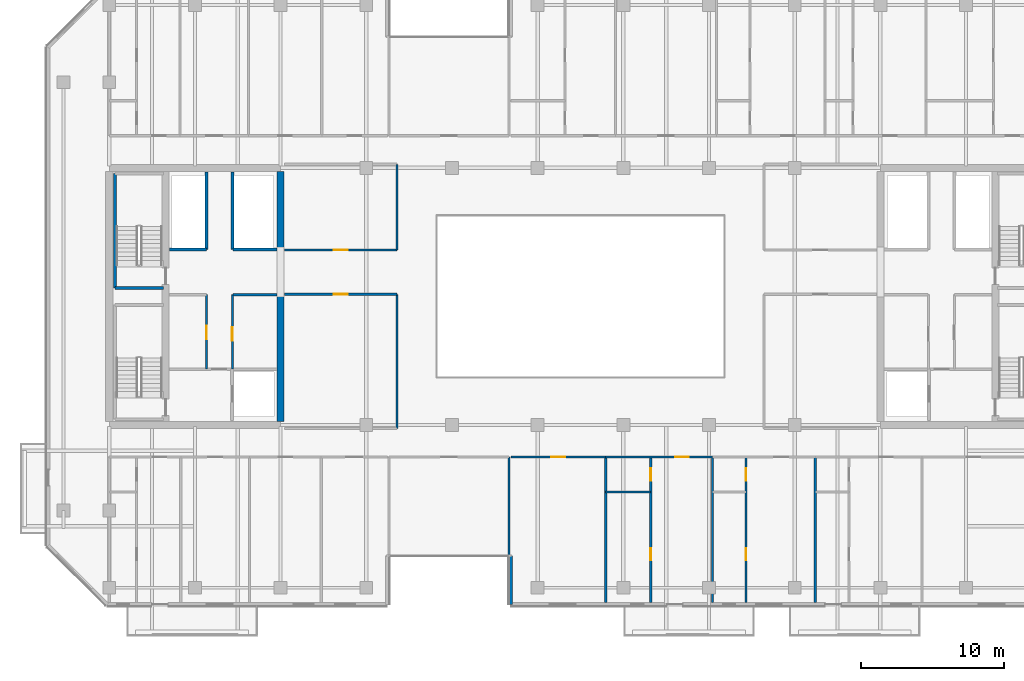
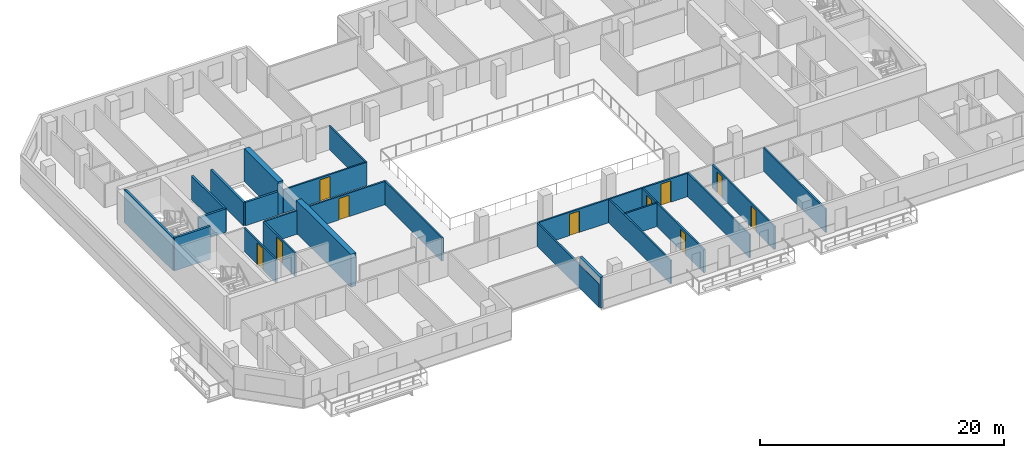
# One storey, part 10 of 19: 25 walls, 10 doors, 10 openings.
"""IFC4 building model written with IfcOpenShell, lengths in metres."""

from ifc_helpers import new_model, si_unit, direction, frame, frame_2d, origin, place, context, subcontext, project, spatial, rectangle, extrude, material, layer, layer_set, type_object, element, fill, save


model = new_model("IFC4")

# Units and contexts
model_context = context("Model", 3, precision=1e-05, world=origin(), true_north=direction((0.0, 1.0)))
body_context = subcontext(model_context, "Body", "Model", "MODEL_VIEW")
ifc_project = project(units=[si_unit("LENGTHUNIT", "METRE"), si_unit("AREAUNIT", "SQUARE_METRE"), si_unit("VOLUMEUNIT", "CUBIC_METRE"), si_unit("PLANEANGLEUNIT", "RADIAN"), si_unit("MASSUNIT", "GRAM", prefix="KILO")], contexts=[model_context])

# Site, building, storey
site_placement = place(None, origin())
site = spatial("IfcSite", under=ifc_project, at=site_placement, CompositionType="ELEMENT")
building_placement = place(site_placement, origin())
building = spatial("IfcBuilding", under=site, at=building_placement, Name="Tanjung Sevakor Pilgrim Tower", CompositionType="ELEMENT")
storey_placement = place(building_placement, frame((0.0, 0.0, 132.0)))
storey = spatial("IfcBuildingStorey", under=building, at=storey_placement, Name="L36", CompositionType="ELEMENT", Elevation=132.0)

# Walls
ifc_material_1 = material(Name="Concrete C60/75", Category="concrete")
ifc_layer_1 = layer(ifc_material_1, 0.5)
ifc_layer_set_1 = layer_set([ifc_layer_1], Name="WALL-CW-500")
wall_type_1 = type_object("IfcWallType", Name="WALL-CW-500", PredefinedType="SHEAR", material=ifc_layer_set_1)
wall_1_placement = place(storey_placement, frame((36.0, 24.85009765625, 0.0), z_axis=(0.0, 0.0, 1.0), x_axis=(0.0, 1.0, 0.0)))
element("IfcWall", 1, at=wall_1_placement, inside=storey, type_object=wall_type_1, Name="L36 W Core Inner Shear Wall South", PredefinedType="SHEAR", context=body_context, shape_type="SweptSolid", body=[
    extrude(rectangle(XDim=8.949951171875, YDim=0.5, at=frame_2d((4.47509765625, 0.0))), origin(), (0.0, 0.0, 1.0), 3.300048828125),
])
wall_2_placement = place(storey_placement, frame((36.0, 36.800048828125, 0.0), z_axis=(0.0, 0.0, 1.0), x_axis=(0.0, 1.0, 0.0)))
element("IfcWall", 2, at=wall_2_placement, inside=storey, type_object=wall_type_1, Name="L36 W Core Inner Shear Wall North", PredefinedType="SHEAR", context=body_context, shape_type="SweptSolid", body=[
    extrude(rectangle(XDim=5.550048828125, YDim=0.5, at=frame_2d((2.77490234375, 0.0))), origin(), (0.0, 0.0, 1.0), 3.300048828125),
])

# Wall, opening, door
ifc_material_2 = material(Name="Concrete C40/50", Category="concrete")
ifc_layer_2 = layer(ifc_material_2, 0.14990234375)
ifc_layer_set_2 = layer_set([ifc_layer_2], Name="WT-COMP-150")
wall_type_2 = type_object("IfcWallType", Name="WT-COMP-150", PredefinedType="SOLIDWALL", material=ifc_layer_set_2)
wall_3_placement = place(storey_placement, frame((30.820068359375, 28.5, 0.0), z_axis=(0.0, 0.0, 1.0), x_axis=(0.0, 1.0, 0.0)))
wall_3 = element("IfcWall", 3, at=wall_3_placement, inside=storey, type_object=wall_type_2, Name="L36 Partition IW-L36-004", PredefinedType="SOLIDWALL", context=body_context, shape_type="SweptSolid", body=[
    extrude(rectangle(XDim=5.219970703125, YDim=0.14990234375, at=frame_2d((2.60986328125, 0.0))), origin(), (0.0, 0.0, 1.0), 2.35009765625),
])
opening_1_placement = place(wall_3_placement, frame((2.10009765625, 0.0, 0.0)))
opening_1 = element("IfcOpeningElement", 4, at=opening_1_placement, cuts=wall_3, Name="Opening ID-FD2", PredefinedType="OPENING", context=body_context, shape_type="SweptSolid", body=[
    extrude(rectangle(XDim=0.949951171875, YDim=2.14990234375, at=frame_2d((0.47509765625, 1.074951171875))), frame((0.0, 0.0849609375, 0.0), z_axis=(0.0, -1.0, 0.0), x_axis=(1.0, 0.0, 0.0)), (0.0, 0.0, 1.0), 0.169921875),
])
ifc_material_3 = material(Name="Fire-Rated Timber", Category="wood")
door_type_1 = type_object("IfcDoorType", Name="DT-FIRE-950", OperationType="NOTDEFINED", PredefinedType="DOOR", material=ifc_material_3)
door_1_placement = place(opening_1_placement, origin())
door_1 = element("IfcDoor", 5, at=door_1_placement, inside=storey, type_object=door_type_1, Name="L36 Housekeeping Pantry Door", OperationType="SINGLE_SWING_LEFT", OverallHeight=2.14990234375, OverallWidth=0.949951171875, PredefinedType="DOOR", context=body_context, shape_type="SweptSolid", body=[
    extrude(rectangle(XDim=0.949951171875, YDim=2.14990234375, at=frame_2d((0.47509765625, 1.074951171875))), frame((0.0, 0.02490234375, 0.0), z_axis=(0.0, -1.0, 0.0), x_axis=(1.0, 0.0, 0.0)), (0.0, 0.0, 1.0), 0.050048828125),
])
fill(opening_1, door_1)

# Wall
wall_4_placement = place(storey_placement, frame((32.679931640625, 33.719970703125, 0.0), z_axis=(0.0, 0.0, 1.0), x_axis=(1.0, 0.0, 0.0)))
element("IfcWall", 6, at=wall_4_placement, inside=storey, type_object=wall_type_2, Name="L36 Partition IW-L36-005", PredefinedType="SOLIDWALL", context=body_context, shape_type="SweptSolid", body=[
    extrude(rectangle(XDim=3.050048828125, YDim=0.14990234375, at=frame_2d((1.52490234375, 0.0))), origin(), (0.0, 0.0, 1.0), 2.35009765625),
])

# Wall, opening, door
wall_5_placement = place(storey_placement, frame((32.6201171875, 28.5, 0.0), z_axis=(0.0, 0.0, 1.0), x_axis=(0.0, 1.0, 0.0)))
wall_5 = element("IfcWall", 7, at=wall_5_placement, inside=storey, type_object=wall_type_2, Name="L36 Partition IW-L36-006", PredefinedType="SOLIDWALL", context=body_context, shape_type="SweptSolid", body=[
    extrude(rectangle(XDim=5.219970703125, YDim=0.14990234375, at=frame_2d((2.60986328125, 0.0))), origin(), (0.0, 0.0, 1.0), 2.35009765625),
])
opening_2_placement = place(wall_5_placement, frame((2.0, 0.0, 0.0)))
opening_2 = element("IfcOpeningElement", 8, at=opening_2_placement, cuts=wall_5, Name="Opening ID-FD2", PredefinedType="OPENING", context=body_context, shape_type="SweptSolid", body=[
    extrude(rectangle(XDim=0.949951171875, YDim=2.14990234375, at=frame_2d((0.47509765625, 1.074951171875))), frame((0.0, 0.0849609375, 0.0), z_axis=(0.0, -1.0, 0.0), x_axis=(1.0, 0.0, 0.0)), (0.0, 0.0, 1.0), 0.169921875),
])
door_2_placement = place(opening_2_placement, origin())
door_2 = element("IfcDoor", 9, at=door_2_placement, inside=storey, type_object=door_type_1, Name="L36 Accessible WC Door", OperationType="SINGLE_SWING_RIGHT", OverallHeight=2.14990234375, OverallWidth=0.949951171875, PredefinedType="DOOR", context=body_context, shape_type="SweptSolid", body=[
    extrude(rectangle(XDim=0.949951171875, YDim=2.14990234375, at=frame_2d((0.47509765625, 1.074951171875))), frame((0.0, 0.02490234375, 0.0), z_axis=(0.0, -1.0, 0.0), x_axis=(1.0, 0.0, 0.0)), (0.0, 0.0, 1.0), 0.050048828125),
])
fill(opening_2, door_2)

wall_6_placement = place(storey_placement, frame((36.27001953125, 33.75, 0.0), z_axis=(0.0, 0.0, 1.0), x_axis=(1.0, 0.0, 0.0)))
wall_6 = element("IfcWall", 10, at=wall_6_placement, inside=storey, type_object=wall_type_2, Name="L36 Partition IW-L36-022", PredefinedType="SOLIDWALL", context=body_context, shape_type="SweptSolid", body=[
    extrude(rectangle(XDim=7.8798828125, YDim=0.14990234375, at=frame_2d((3.93994140625, 0.0))), origin(), (0.0, 0.0, 1.0), 2.35009765625),
])
opening_3_placement = place(wall_6_placement, frame((3.465087890625, 0.0, 0.0)))
opening_3 = element("IfcOpeningElement", 11, at=opening_3_placement, cuts=wall_6, Name="Opening ID-RM1", PredefinedType="OPENING", context=body_context, shape_type="SweptSolid", body=[
    extrude(rectangle(XDim=0.949951171875, YDim=2.14990234375, at=frame_2d((0.47509765625, 1.074951171875))), frame((0.0, 0.0849609375, 0.0), z_axis=(0.0, -1.0, 0.0), x_axis=(1.0, 0.0, 0.0)), (0.0, 0.0, 1.0), 0.169921875),
])
ifc_material_4 = material(Name="Hardwood Timber", Category="wood")
door_type_2 = type_object("IfcDoorType", Name="DT-INT-950", OperationType="NOTDEFINED", PredefinedType="DOOR", material=ifc_material_4)
door_3_placement = place(opening_3_placement, origin())
door_3 = element("IfcDoor", 12, at=door_3_placement, inside=storey, type_object=door_type_2, Name="L36 West Inboard South Door", OperationType="SINGLE_SWING_LEFT", OverallHeight=2.14990234375, OverallWidth=0.949951171875, PredefinedType="DOOR", context=body_context, shape_type="SweptSolid", body=[
    extrude(rectangle(XDim=0.949951171875, YDim=2.14990234375, at=frame_2d((0.47509765625, 1.074951171875))), frame((0.0, 0.02490234375, 0.0), z_axis=(0.0, -1.0, 0.0), x_axis=(1.0, 0.0, 0.0)), (0.0, 0.0, 1.0), 0.050048828125),
])
fill(opening_3, door_3)

# Wall
wall_7_placement = place(storey_placement, frame((44.14990234375, 24.35009765625, 0.0), z_axis=(0.0, 0.0, 1.0), x_axis=(0.0, 1.0, 0.0)))
element("IfcWall", 13, at=wall_7_placement, inside=storey, type_object=wall_type_2, Name="L36 Partition IW-L36-023", PredefinedType="SOLIDWALL", context=body_context, shape_type="SweptSolid", body=[
    extrude(rectangle(XDim=9.39990234375, YDim=0.14990234375, at=frame_2d((4.699951171875, 0.0))), origin(), (0.0, 0.0, 1.0), 2.35009765625),
])

# Wall, opening, door
wall_8_placement = place(storey_placement, frame((36.27001953125, 36.85009765625, 0.0), z_axis=(0.0, 0.0, 1.0), x_axis=(1.0, 0.0, 0.0)))
wall_8 = element("IfcWall", 14, at=wall_8_placement, inside=storey, type_object=wall_type_2, Name="L36 Partition IW-L36-024", PredefinedType="SOLIDWALL", context=body_context, shape_type="SweptSolid", body=[
    extrude(rectangle(XDim=7.8798828125, YDim=0.14990234375, at=frame_2d((3.93994140625, 0.0))), origin(), (0.0, 0.0, 1.0), 2.35009765625),
])
opening_4_placement = place(wall_8_placement, frame((3.465087890625, 0.0, 0.0)))
opening_4 = element("IfcOpeningElement", 15, at=opening_4_placement, cuts=wall_8, Name="Opening ID-RM1", PredefinedType="OPENING", context=body_context, shape_type="SweptSolid", body=[
    extrude(rectangle(XDim=0.949951171875, YDim=2.14990234375, at=frame_2d((0.47509765625, 1.074951171875))), frame((0.0, 0.0849609375, 0.0), z_axis=(0.0, -1.0, 0.0), x_axis=(1.0, 0.0, 0.0)), (0.0, 0.0, 1.0), 0.169921875),
])
door_4_placement = place(opening_4_placement, origin())
door_4 = element("IfcDoor", 16, at=door_4_placement, inside=storey, type_object=door_type_2, Name="L36 West Inboard North Door", OperationType="SINGLE_SWING_RIGHT", OverallHeight=2.14990234375, OverallWidth=0.949951171875, PredefinedType="DOOR", context=body_context, shape_type="SweptSolid", body=[
    extrude(rectangle(XDim=0.949951171875, YDim=2.14990234375, at=frame_2d((0.47509765625, 1.074951171875))), frame((0.0, 0.02490234375, 0.0), z_axis=(0.0, -1.0, 0.0), x_axis=(1.0, 0.0, 0.0)), (0.0, 0.0, 1.0), 0.050048828125),
])
fill(opening_4, door_4)

# Walls
wall_9_placement = place(storey_placement, frame((44.14990234375, 36.85009765625, 0.0), z_axis=(0.0, 0.0, 1.0), x_axis=(0.0, 1.0, 0.0)))
element("IfcWall", 17, at=wall_9_placement, inside=storey, type_object=wall_type_2, Name="L36 Partition IW-L36-026", PredefinedType="SOLIDWALL", context=body_context, shape_type="SweptSolid", body=[
    extrude(rectangle(XDim=6.0, YDim=0.14990234375, at=frame_2d((3.0, 0.0))), origin(), (0.0, 0.0, 1.0), 2.35009765625),
])
for number, where, z_axis, x_axis, name in (
    (18, (52.0, 12.14990234375, 0.0), (0.0, 0.0, 1.0), (0.0, 1.0, 0.0), "L36 Partition IW-L36-035"),
    (19, (58.7666015625, 12.14990234375, 0.0), (0.0, 0.0, 1.0), (0.0, 1.0, 0.0), "L36 Partition IW-L36-050"),
):
    element("IfcWall", number, at=place(storey_placement, frame(where, z_axis=z_axis, x_axis=x_axis)), inside=storey, type_object=wall_type_2, Name=name, PredefinedType="SOLIDWALL", context=body_context, shape_type="SweptSolid", body=[
        extrude(rectangle(XDim=10.2001953125, YDim=0.14990234375, at=frame_2d((5.10009765625, 0.0))), origin(), (0.0, 0.0, 1.0), 2.35009765625),
    ])

# Wall, opening, door
wall_10_placement = place(storey_placement, frame((52.1201171875, 22.35009765625, 0.0), z_axis=(0.0, 0.0, 1.0), x_axis=(1.0, 0.0, 0.0)))
wall_10 = element("IfcWall", 20, at=wall_10_placement, inside=storey, type_object=wall_type_2, Name="L36 Partition IW-L36-051", PredefinedType="SOLIDWALL", context=body_context, shape_type="SweptSolid", body=[
    extrude(rectangle(XDim=6.646484375, YDim=0.14990234375, at=frame_2d((3.3232421875, 0.0))), origin(), (0.0, 0.0, 1.0), 2.35009765625),
])
opening_5_placement = place(wall_10_placement, frame((2.848388671875, 0.0, 0.0)))
opening_5 = element("IfcOpeningElement", 21, at=opening_5_placement, cuts=wall_10, Name="Opening ID-FD2", PredefinedType="OPENING", context=body_context, shape_type="SweptSolid", body=[
    extrude(rectangle(XDim=0.949951171875, YDim=2.14990234375, at=frame_2d((0.47509765625, 1.074951171875))), frame((0.0, 0.0849609375, 0.0), z_axis=(0.0, -1.0, 0.0), x_axis=(1.0, 0.0, 0.0)), (0.0, 0.0, 1.0), 0.169921875),
])
door_5_placement = place(opening_5_placement, origin())
door_5 = element("IfcDoor", 22, at=door_5_placement, inside=storey, type_object=door_type_1, Name="Housekeeping Pantry Door", OperationType="SINGLE_SWING_LEFT", OverallHeight=2.14990234375, OverallWidth=0.949951171875, PredefinedType="DOOR", context=body_context, shape_type="SweptSolid", body=[
    extrude(rectangle(XDim=0.949951171875, YDim=2.14990234375, at=frame_2d((0.47509765625, 1.074951171875))), frame((0.0, 0.02490234375, 0.0), z_axis=(0.0, -1.0, 0.0), x_axis=(1.0, 0.0, 0.0)), (0.0, 0.0, 1.0), 0.050048828125),
])
fill(opening_5, door_5)

# Wall
wall_11_placement = place(storey_placement, frame((66.244140625, 12.14990234375, 0.0), z_axis=(0.0, 0.0, 1.0), x_axis=(0.0, 1.0, 0.0)))
element("IfcWall", 23, at=wall_11_placement, inside=storey, type_object=wall_type_2, Name="L36 Partition IW-L36-052", PredefinedType="SOLIDWALL", context=body_context, shape_type="SweptSolid", body=[
    extrude(rectangle(XDim=10.2001953125, YDim=0.14990234375, at=frame_2d((5.10009765625, 0.0))), origin(), (0.0, 0.0, 1.0), 2.35009765625),
])

# Wall, opening, door
wall_12_placement = place(storey_placement, frame((58.7666015625, 22.35009765625, 0.0), z_axis=(0.0, 0.0, 1.0), x_axis=(1.0, 0.0, 0.0)))
wall_12 = element("IfcWall", 24, at=wall_12_placement, inside=storey, type_object=wall_type_2, Name="L36 Partition IW-L36-055", PredefinedType="SOLIDWALL", context=body_context, shape_type="SweptSolid", body=[
    extrude(rectangle(XDim=7.4775390625, YDim=0.14990234375, at=frame_2d((3.73876953125, 0.0))), origin(), (0.0, 0.0, 1.0), 2.35009765625),
])
opening_6_placement = place(wall_12_placement, frame((4.880615234375, 0.0, 0.0)))
opening_6 = element("IfcOpeningElement", 25, at=opening_6_placement, cuts=wall_12, Name="Opening ID-FD2", PredefinedType="OPENING", context=body_context, shape_type="SweptSolid", body=[
    extrude(rectangle(XDim=0.949951171875, YDim=2.14990234375, at=frame_2d((0.47509765625, 1.074951171875))), frame((0.0, 0.0849609375, 0.0), z_axis=(0.0, -1.0, 0.0), x_axis=(1.0, 0.0, 0.0)), (0.0, 0.0, 1.0), 0.169921875),
])
door_6_placement = place(opening_6_placement, origin())
door_6 = element("IfcDoor", 26, at=door_6_placement, inside=storey, type_object=door_type_1, Name="Hostel Quad Entrance", OperationType="SINGLE_SWING_RIGHT", OverallHeight=2.14990234375, OverallWidth=0.949951171875, PredefinedType="DOOR", context=body_context, shape_type="SweptSolid", body=[
    extrude(rectangle(XDim=0.949951171875, YDim=2.14990234375, at=frame_2d((0.47509765625, 1.074951171875))), frame((0.0, 0.02490234375, 0.0), z_axis=(0.0, -1.0, 0.0), x_axis=(1.0, 0.0, 0.0)), (0.0, 0.0, 1.0), 0.050048828125),
])
fill(opening_6, door_6)

# Walls
wall_13_placement = place(storey_placement, frame((73.444580078125, 12.14990234375, 0.0), z_axis=(0.0, 0.0, 1.0), x_axis=(0.0, 1.0, 0.0)))
element("IfcWall", 27, at=wall_13_placement, inside=storey, type_object=wall_type_2, Name="L36 Partition IW-L36-056", PredefinedType="SOLIDWALL", context=body_context, shape_type="SweptSolid", body=[
    extrude(rectangle(XDim=10.2001953125, YDim=0.14990234375, at=frame_2d((5.10009765625, 0.0))), origin(), (0.0, 0.0, 1.0), 2.35009765625),
])
ifc_material_5 = material(Name="Precast concrete C45/55", Category="concrete")
ifc_layer_3 = layer(ifc_material_5, 0.25)
ifc_layer_set_3 = layer_set([ifc_layer_3], Name="WT-EW-STN3")
wall_type_3 = type_object("IfcWallType", Name="WT-EW-STN3", PredefinedType="SOLIDWALL", material=ifc_layer_set_3)
wall_14_placement = place(storey_placement, frame((52.125, 15.425048828125, 0.0), z_axis=(0.0, 0.0, 1.0), x_axis=(0.0, -1.0, 0.0)))
element("IfcWall", 28, at=wall_14_placement, inside=storey, type_object=wall_type_3, Name="L36 MAIN Exterior Wall 4", PredefinedType="SOLIDWALL", context=body_context, shape_type="SweptSolid", body=[
    extrude(rectangle(XDim=3.400146484375, YDim=0.25, at=frame_2d((1.7001953125, 0.0))), origin(), (0.0, 0.0, 1.0), 3.080078125),
])
ifc_material_6 = material(Name="Concrete C40/50", Category="concrete")
ifc_layer_4 = layer(ifc_material_6, 0.199951171875)
ifc_layer_set_4 = layer_set([ifc_layer_4], Name="WT-FIRE-200")
wall_type_4 = type_object("IfcWallType", Name="WT-FIRE-200", PredefinedType="SOLIDWALL", material=ifc_layer_set_4)
wall_15_placement = place(storey_placement, frame((24.39990234375, 34.199951171875, 0.0), z_axis=(0.0, 0.0, 1.0), x_axis=(1.0, 0.0, 0.0)))
element("IfcWall", 29, at=wall_15_placement, inside=storey, type_object=wall_type_4, Name="L36 TS-W2 Shaft Wall 1", PredefinedType="SOLIDWALL", context=body_context, shape_type="SweptSolid", body=[
    extrude(rectangle(XDim=3.400146484375, YDim=0.199951171875, at=frame_2d((1.7001953125, 0.0))), origin(), (0.0, 0.0, 1.0), 3.300048828125),
])
wall_16_placement = place(storey_placement, frame((24.39990234375, 42.199951171875, 0.0), z_axis=(0.0, 0.0, 1.0), x_axis=(0.0, -1.0, 0.0)))
element("IfcWall", 30, at=wall_16_placement, inside=storey, type_object=wall_type_4, Name="L36 TS-W2 Shaft Wall 3", PredefinedType="SOLIDWALL", context=body_context, shape_type="SweptSolid", body=[
    extrude(rectangle(XDim=8.0, YDim=0.199951171875, at=frame_2d((4.0, 0.0))), origin(), (0.0, 0.0, 1.0), 3.300048828125),
])
ifc_material_7 = material(Name="Concrete C40/50", Category="concrete")
ifc_layer_5 = layer(ifc_material_7, 0.199951171875)
ifc_layer_set_5 = layer_set([ifc_layer_5], Name="WT-FPRT-200")
wall_type_5 = type_object("IfcWallType", Name="WT-FPRT-200", PredefinedType="SOLIDWALL", material=ifc_layer_set_5)
wall_17_placement = place(storey_placement, frame((28.219970703125, 36.8798828125, 0.0), z_axis=(0.0, 0.0, 1.0), x_axis=(1.0, 0.0, 0.0)))
element("IfcWall", 31, at=wall_17_placement, inside=storey, type_object=wall_type_5, Name="L36 Partition IW-L36-007", PredefinedType="SOLIDWALL", context=body_context, shape_type="SweptSolid", body=[
    extrude(rectangle(XDim=2.580078125, YDim=0.199951171875, at=frame_2d((1.2900390625, 0.0))), origin(), (0.0, 0.0, 1.0), 2.35009765625),
])
wall_18_placement = place(storey_placement, frame((30.820068359375, 36.8798828125, 0.0), z_axis=(0.0, 0.0, 1.0), x_axis=(0.0, 1.0, 0.0)))
element("IfcWall", 32, at=wall_18_placement, inside=storey, type_object=wall_type_5, Name="L36 Partition IW-L36-008", PredefinedType="SOLIDWALL", context=body_context, shape_type="SweptSolid", body=[
    extrude(rectangle(XDim=5.420166015625, YDim=0.199951171875, at=frame_2d((2.7099609375, 0.0))), origin(), (0.0, 0.0, 1.0), 2.35009765625),
])
wall_19_placement = place(storey_placement, frame((32.679931640625, 36.8798828125, 0.0), z_axis=(0.0, 0.0, 1.0), x_axis=(1.0, 0.0, 0.0)))
element("IfcWall", 33, at=wall_19_placement, inside=storey, type_object=wall_type_5, Name="L36 Partition IW-L36-009", PredefinedType="SOLIDWALL", context=body_context, shape_type="SweptSolid", body=[
    extrude(rectangle(XDim=3.050048828125, YDim=0.199951171875, at=frame_2d((1.52490234375, 0.0))), origin(), (0.0, 0.0, 1.0), 2.35009765625),
])
wall_20_placement = place(storey_placement, frame((32.6201171875, 36.8798828125, 0.0), z_axis=(0.0, 0.0, 1.0), x_axis=(0.0, 1.0, 0.0)))
element("IfcWall", 34, at=wall_20_placement, inside=storey, type_object=wall_type_5, Name="L36 Partition IW-L36-010", PredefinedType="SOLIDWALL", context=body_context, shape_type="SweptSolid", body=[
    extrude(rectangle(XDim=5.420166015625, YDim=0.199951171875, at=frame_2d((2.7099609375, 0.0))), origin(), (0.0, 0.0, 1.0), 2.35009765625),
])
ifc_material_8 = material(Name="Gypsum Board Partition", Category="gypsum board")
ifc_layer_6 = layer(ifc_material_8, 0.14990234375)
ifc_layer_set_6 = layer_set([ifc_layer_6], Name="WT-PART-150")
wall_type_6 = type_object("IfcWallType", Name="WT-PART-150", PredefinedType="PARTITIONING", material=ifc_layer_set_6)
wall_21_placement = place(storey_placement, frame((58.7666015625, 19.89990234375, 0.0), z_axis=(0.0, 0.0, 1.0), x_axis=(1.0, 0.0, 0.0)))
element("IfcWall", 35, at=wall_21_placement, inside=storey, type_object=wall_type_6, Name="L36 Partition IW-L36-053", PredefinedType="PARTITIONING", context=body_context, shape_type="SweptSolid", body=[
    extrude(rectangle(XDim=3.1533203125, YDim=0.14990234375, at=frame_2d((1.57666015625, 0.0))), origin(), (0.0, 0.0, 1.0), 2.35009765625),
])

# Wall, openings, doors
wall_22_placement = place(storey_placement, frame((61.919921875, 12.14990234375, 0.0), z_axis=(0.0, 0.0, 1.0), x_axis=(0.0, 1.0, 0.0)))
wall_22 = element("IfcWall", 36, at=wall_22_placement, inside=storey, type_object=wall_type_6, Name="L36 Partition IW-L36-054", PredefinedType="PARTITIONING", context=body_context, shape_type="SweptSolid", body=[
    extrude(rectangle(XDim=10.2001953125, YDim=0.14990234375, at=frame_2d((5.10009765625, 0.0))), origin(), (0.0, 0.0, 1.0), 2.35009765625),
])
opening_7_placement = place(wall_22_placement, frame((2.9599609375, 0.0, 0.0)))
opening_7 = element("IfcOpeningElement", 37, at=opening_7_placement, cuts=wall_22, Name="Opening ID-WC1", PredefinedType="OPENING", context=body_context, shape_type="SweptSolid", body=[
    extrude(rectangle(XDim=0.85009765625, YDim=2.10009765625, at=frame_2d((0.425048828125, 1.050048828125))), frame((0.0, 0.0849609375, 0.0), z_axis=(0.0, -1.0, 0.0), x_axis=(1.0, 0.0, 0.0)), (0.0, 0.0, 1.0), 0.169921875),
])
opening_8_placement = place(wall_22_placement, frame((8.550048828125, 0.0, 0.0)))
opening_8 = element("IfcOpeningElement", 38, at=opening_8_placement, cuts=wall_22, Name="Opening ID-WC1", PredefinedType="OPENING", context=body_context, shape_type="SweptSolid", body=[
    extrude(rectangle(XDim=0.85009765625, YDim=2.10009765625, at=frame_2d((0.425048828125, 1.050048828125))), frame((0.0, 0.0849609375, 0.0), z_axis=(0.0, -1.0, 0.0), x_axis=(1.0, 0.0, 0.0)), (0.0, 0.0, 1.0), 0.169921875),
])
ifc_material_9 = material(Name="Moisture-Resistant Timber", Category="wood")
door_type_3 = type_object("IfcDoorType", Name="DT-INT-850", OperationType="NOTDEFINED", PredefinedType="DOOR", material=ifc_material_9)
door_7_placement = place(opening_7_placement, origin())
door_7 = element("IfcDoor", 39, at=door_7_placement, inside=storey, type_object=door_type_3, Name="Study Nook Door", OperationType="SINGLE_SWING_RIGHT", OverallHeight=2.10009765625, OverallWidth=0.85009765625, PredefinedType="DOOR", context=body_context, shape_type="SweptSolid", body=[
    extrude(rectangle(XDim=0.85009765625, YDim=2.10009765625, at=frame_2d((0.425048828125, 1.050048828125))), frame((0.0, 0.02490234375, 0.0), z_axis=(0.0, -1.0, 0.0), x_axis=(1.0, 0.0, 0.0)), (0.0, 0.0, 1.0), 0.050048828125),
])
fill(opening_7, door_7)
door_8_placement = place(opening_8_placement, origin())
door_8 = element("IfcDoor", 40, at=door_8_placement, inside=storey, type_object=door_type_3, Name="Bathroom Door", OperationType="SINGLE_SWING_LEFT", OverallHeight=2.10009765625, OverallWidth=0.85009765625, PredefinedType="DOOR", context=body_context, shape_type="SweptSolid", body=[
    extrude(rectangle(XDim=0.85009765625, YDim=2.10009765625, at=frame_2d((0.425048828125, 1.050048828125))), frame((0.0, 0.02490234375, 0.0), z_axis=(0.0, -1.0, 0.0), x_axis=(1.0, 0.0, 0.0)), (0.0, 0.0, 1.0), 0.050048828125),
])
fill(opening_8, door_8)

wall_23_placement = place(storey_placement, frame((68.593994140625, 12.14990234375, 0.0), z_axis=(0.0, 0.0, 1.0), x_axis=(0.0, 1.0, 0.0)))
wall_23 = element("IfcWall", 41, at=wall_23_placement, inside=storey, type_object=wall_type_6, Name="L36 Partition IW-L36-058", PredefinedType="PARTITIONING", context=body_context, shape_type="SweptSolid", body=[
    extrude(rectangle(XDim=10.2001953125, YDim=0.14990234375, at=frame_2d((5.10009765625, 0.0))), origin(), (0.0, 0.0, 1.0), 2.35009765625),
])
opening_9_placement = place(wall_23_placement, frame((2.9599609375, 0.0, 0.0)))
opening_9 = element("IfcOpeningElement", 42, at=opening_9_placement, cuts=wall_23, Name="Opening ID-WC1", PredefinedType="OPENING", context=body_context, shape_type="SweptSolid", body=[
    extrude(rectangle(XDim=0.85009765625, YDim=2.10009765625, at=frame_2d((0.425048828125, 1.050048828125))), frame((0.0, 0.0849609375, 0.0), z_axis=(0.0, -1.0, 0.0), x_axis=(1.0, 0.0, 0.0)), (0.0, 0.0, 1.0), 0.169921875),
])
opening_10_placement = place(wall_23_placement, frame((8.550048828125, 0.0, 0.0)))
opening_10 = element("IfcOpeningElement", 43, at=opening_10_placement, cuts=wall_23, Name="Opening ID-WC1", PredefinedType="OPENING", context=body_context, shape_type="SweptSolid", body=[
    extrude(rectangle(XDim=0.85009765625, YDim=2.10009765625, at=frame_2d((0.425048828125, 1.050048828125))), frame((0.0, 0.0849609375, 0.0), z_axis=(0.0, -1.0, 0.0), x_axis=(1.0, 0.0, 0.0)), (0.0, 0.0, 1.0), 0.169921875),
])
door_9_placement = place(opening_9_placement, origin())
door_9 = element("IfcDoor", 44, at=door_9_placement, inside=storey, type_object=door_type_3, Name="Study Nook Door", OperationType="SINGLE_SWING_LEFT", OverallHeight=2.10009765625, OverallWidth=0.85009765625, PredefinedType="DOOR", context=body_context, shape_type="SweptSolid", body=[
    extrude(rectangle(XDim=0.85009765625, YDim=2.10009765625, at=frame_2d((0.425048828125, 1.050048828125))), frame((0.0, 0.02490234375, 0.0), z_axis=(0.0, -1.0, 0.0), x_axis=(1.0, 0.0, 0.0)), (0.0, 0.0, 1.0), 0.050048828125),
])
fill(opening_9, door_9)
door_10_placement = place(opening_10_placement, origin())
door_10 = element("IfcDoor", 45, at=door_10_placement, inside=storey, type_object=door_type_3, Name="Bathroom Door", OperationType="SINGLE_SWING_RIGHT", OverallHeight=2.10009765625, OverallWidth=0.85009765625, PredefinedType="DOOR", context=body_context, shape_type="SweptSolid", body=[
    extrude(rectangle(XDim=0.85009765625, YDim=2.10009765625, at=frame_2d((0.425048828125, 1.050048828125))), frame((0.0, 0.02490234375, 0.0), z_axis=(0.0, -1.0, 0.0), x_axis=(1.0, 0.0, 0.0)), (0.0, 0.0, 1.0), 0.050048828125),
])
fill(opening_10, door_10)

save(model, "model.ifc")
